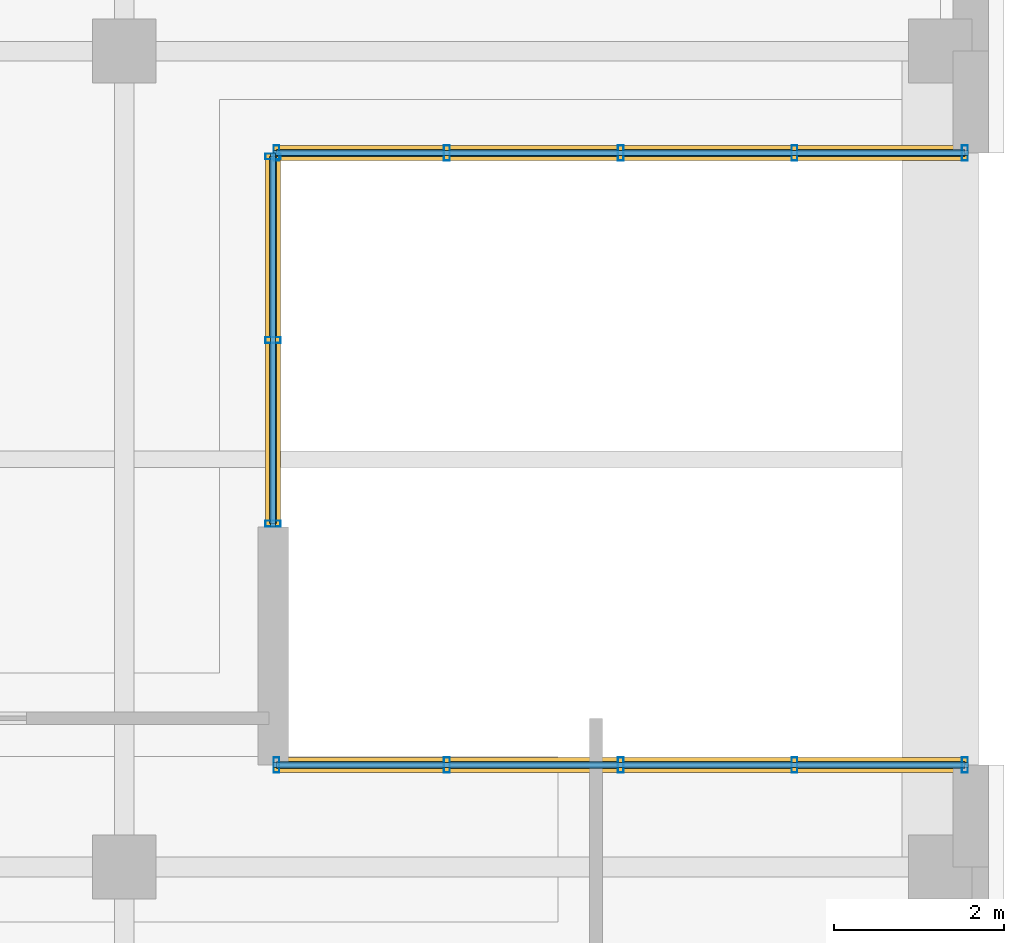
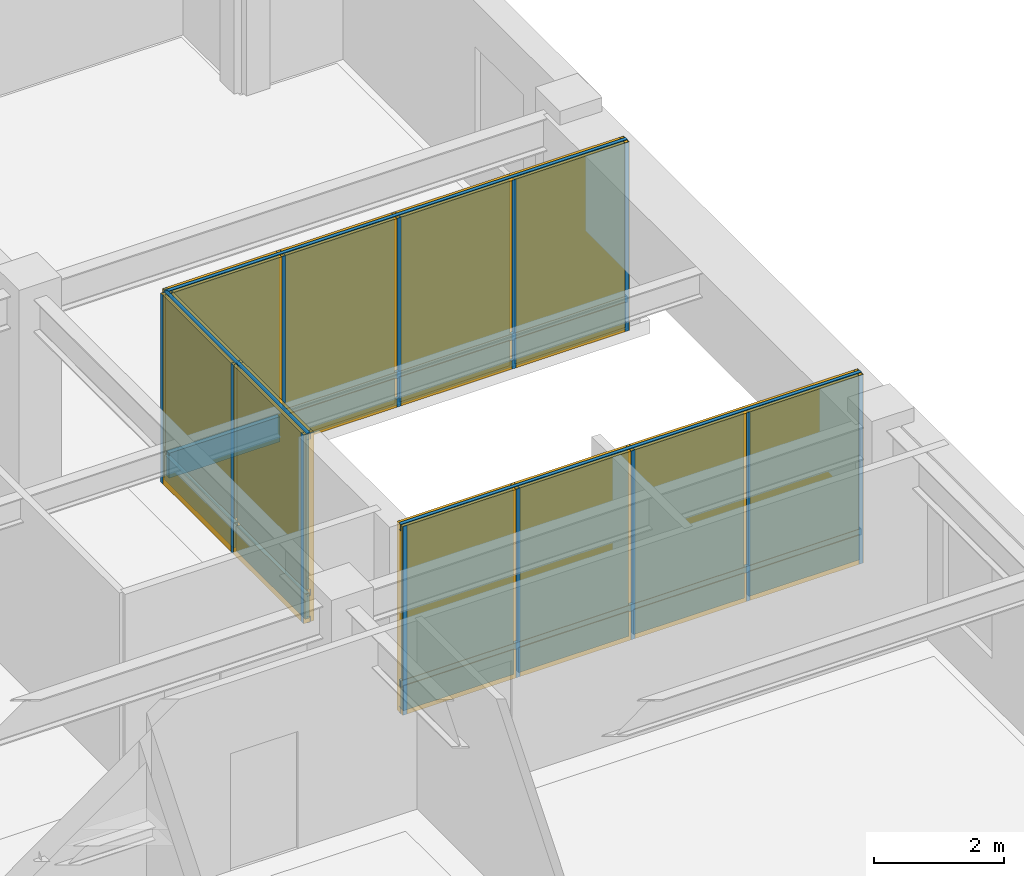
# One storey, part 7 of 11: 22 members, 20 plates, 3 curtain walls.
"""IFC4 building model written with IfcOpenShell, lengths in metres."""

from ifc_helpers import new_model, si_unit, direction, frame, frame_2d, origin, origin_2d, place, context, subcontext, project, spatial, rectangle, hollow_rectangle, extrude, material, layer, layer_set, material_profile, profile_set, type_object, element, aggregate, save


model = new_model("IFC4")

# Units and contexts
model_context = context("Model", 3, precision=1e-05, world=origin(), true_north=direction((0.0, 1.0)))
body_context = subcontext(model_context, "Body", "Model", "MODEL_VIEW")
ifc_project = project(units=[si_unit("LENGTHUNIT", "METRE"), si_unit("AREAUNIT", "SQUARE_METRE"), si_unit("VOLUMEUNIT", "CUBIC_METRE"), si_unit("PLANEANGLEUNIT", "RADIAN"), si_unit("MASSUNIT", "GRAM", prefix="KILO")], contexts=[model_context])

# Member
ifc_material_1 = material(Name="Anodized Aluminium 6063-T6", Category="aluminium")
ifc_material_profile_1 = material_profile(ifc_material_1, hollow_rectangle(XDim=0.070068359375, YDim=0.179931640625, WallThickness=0.00390625, at=origin_2d()), Name="Anodized Aluminium 6063-T6")
ifc_profile_set_1 = profile_set([ifc_material_profile_1], Name="Anodized Aluminium 6063-T6")
member_type_1 = type_object("IfcMemberType", Name="Curtain Wall Mullion 180", PredefinedType="MULLION", material=ifc_profile_set_1)
site_placement = place(None, origin())
building_placement = place(site_placement, origin())
storey_placement = place(building_placement, frame((0.0, 0.0, 281.0)))
member_1_placement = place(storey_placement, frame((39.43994140625, 27.60009765625, 0.0), z_axis=(0.0, 0.0, 1.0), x_axis=(1.0, 0.0, 0.0)))
member_1 = element("IfcMember", 1, at=member_1_placement, type_object=member_type_1, Name="Curtain Wall Mullion CW-L71-SGN-M01", PredefinedType="MULLION", context=body_context, shape_type="SweptSolid", body=[
    extrude(hollow_rectangle(XDim=0.070068359375, YDim=0.179931640625, WallThickness=0.00390625, at=origin_2d()), origin(), (0.0, 0.0, 1.0), 3.5400390625),
])

member_2_placement = place(storey_placement, frame((41.445068359375, 27.60009765625, 0.0), z_axis=(0.0, 0.0, 1.0), x_axis=(1.0, 0.0, 0.0)))
member_2 = element("IfcMember", 2, at=member_2_placement, type_object=member_type_1, Name="Curtain Wall Mullion CW-L71-SGN-M02", PredefinedType="MULLION", context=body_context, shape_type="SweptSolid", body=[
    extrude(hollow_rectangle(XDim=0.070068359375, YDim=0.179931640625, WallThickness=0.00390625, at=origin_2d()), origin(), (0.0, 0.0, 1.0), 3.5400390625),
])

member_3_placement = place(storey_placement, frame((43.489990234375, 27.60009765625, 0.0), z_axis=(0.0, 0.0, 1.0), x_axis=(1.0, 0.0, 0.0)))
member_3 = element("IfcMember", 3, at=member_3_placement, type_object=member_type_1, Name="Curtain Wall Mullion CW-L71-SGN-M03", PredefinedType="MULLION", context=body_context, shape_type="SweptSolid", body=[
    extrude(hollow_rectangle(XDim=0.070068359375, YDim=0.179931640625, WallThickness=0.00390625, at=origin_2d()), origin(), (0.0, 0.0, 1.0), 3.5400390625),
])

member_4_placement = place(storey_placement, frame((45.534912109375, 27.60009765625, 0.0), z_axis=(0.0, 0.0, 1.0), x_axis=(1.0, 0.0, 0.0)))
member_4 = element("IfcMember", 4, at=member_4_placement, type_object=member_type_1, Name="Curtain Wall Mullion CW-L71-SGN-M04", PredefinedType="MULLION", context=body_context, shape_type="SweptSolid", body=[
    extrude(hollow_rectangle(XDim=0.070068359375, YDim=0.179931640625, WallThickness=0.00390625, at=origin_2d()), origin(), (0.0, 0.0, 1.0), 3.5400390625),
])

member_5_placement = place(storey_placement, frame((47.5400390625, 27.60009765625, 0.0), z_axis=(0.0, 0.0, 1.0), x_axis=(1.0, 0.0, 0.0)))
member_5 = element("IfcMember", 5, at=member_5_placement, type_object=member_type_1, Name="Curtain Wall Mullion CW-L71-SGN-M05", PredefinedType="MULLION", context=body_context, shape_type="SweptSolid", body=[
    extrude(hollow_rectangle(XDim=0.070068359375, YDim=0.179931640625, WallThickness=0.00390625, at=origin_2d()), origin(), (0.0, 0.0, 1.0), 3.5400390625),
])

member_6_placement = place(storey_placement, frame((39.43994140625, 20.39990234375, 0.0), z_axis=(0.0, 0.0, 1.0), x_axis=(1.0, 0.0, 0.0)))
member_6 = element("IfcMember", 6, at=member_6_placement, type_object=member_type_1, Name="Curtain Wall Mullion CW-L71-SGS-M01", PredefinedType="MULLION", context=body_context, shape_type="SweptSolid", body=[
    extrude(hollow_rectangle(XDim=0.070068359375, YDim=0.179931640625, WallThickness=0.00390625, at=origin_2d()), origin(), (0.0, 0.0, 1.0), 3.5400390625),
])

member_7_placement = place(storey_placement, frame((41.445068359375, 20.39990234375, 0.0), z_axis=(0.0, 0.0, 1.0), x_axis=(1.0, 0.0, 0.0)))
member_7 = element("IfcMember", 7, at=member_7_placement, type_object=member_type_1, Name="Curtain Wall Mullion CW-L71-SGS-M02", PredefinedType="MULLION", context=body_context, shape_type="SweptSolid", body=[
    extrude(hollow_rectangle(XDim=0.070068359375, YDim=0.179931640625, WallThickness=0.00390625, at=origin_2d()), origin(), (0.0, 0.0, 1.0), 3.5400390625),
])

member_8_placement = place(storey_placement, frame((43.489990234375, 20.39990234375, 0.0), z_axis=(0.0, 0.0, 1.0), x_axis=(1.0, 0.0, 0.0)))
member_8 = element("IfcMember", 8, at=member_8_placement, type_object=member_type_1, Name="Curtain Wall Mullion CW-L71-SGS-M03", PredefinedType="MULLION", context=body_context, shape_type="SweptSolid", body=[
    extrude(hollow_rectangle(XDim=0.070068359375, YDim=0.179931640625, WallThickness=0.00390625, at=origin_2d()), origin(), (0.0, 0.0, 1.0), 3.5400390625),
])

member_9_placement = place(storey_placement, frame((45.534912109375, 20.39990234375, 0.0), z_axis=(0.0, 0.0, 1.0), x_axis=(1.0, 0.0, 0.0)))
member_9 = element("IfcMember", 9, at=member_9_placement, type_object=member_type_1, Name="Curtain Wall Mullion CW-L71-SGS-M04", PredefinedType="MULLION", context=body_context, shape_type="SweptSolid", body=[
    extrude(hollow_rectangle(XDim=0.070068359375, YDim=0.179931640625, WallThickness=0.00390625, at=origin_2d()), origin(), (0.0, 0.0, 1.0), 3.5400390625),
])

member_10_placement = place(storey_placement, frame((47.5400390625, 20.39990234375, 0.0), z_axis=(0.0, 0.0, 1.0), x_axis=(1.0, 0.0, 0.0)))
member_10 = element("IfcMember", 10, at=member_10_placement, type_object=member_type_1, Name="Curtain Wall Mullion CW-L71-SGS-M05", PredefinedType="MULLION", context=body_context, shape_type="SweptSolid", body=[
    extrude(hollow_rectangle(XDim=0.070068359375, YDim=0.179931640625, WallThickness=0.00390625, at=origin_2d()), origin(), (0.0, 0.0, 1.0), 3.5400390625),
])

member_11_placement = place(storey_placement, frame((39.39990234375, 23.239990234375, 0.0), z_axis=(0.0, 0.0, 1.0), x_axis=(0.0, 1.0, 0.0)))
member_11 = element("IfcMember", 11, at=member_11_placement, type_object=member_type_1, Name="Curtain Wall Mullion CW-L71-SGW-M01", PredefinedType="MULLION", context=body_context, shape_type="SweptSolid", body=[
    extrude(hollow_rectangle(XDim=0.070068359375, YDim=0.179931640625, WallThickness=0.00390625, at=origin_2d()), origin(), (0.0, 0.0, 1.0), 3.5400390625),
])

member_12_placement = place(storey_placement, frame((39.39990234375, 25.39990234375, 0.0), z_axis=(0.0, 0.0, 1.0), x_axis=(0.0, 1.0, 0.0)))
member_12 = element("IfcMember", 12, at=member_12_placement, type_object=member_type_1, Name="Curtain Wall Mullion CW-L71-SGW-M02", PredefinedType="MULLION", context=body_context, shape_type="SweptSolid", body=[
    extrude(hollow_rectangle(XDim=0.070068359375, YDim=0.179931640625, WallThickness=0.00390625, at=origin_2d()), origin(), (0.0, 0.0, 1.0), 3.5400390625),
])

member_13_placement = place(storey_placement, frame((39.39990234375, 27.56005859375, 0.0), z_axis=(0.0, 0.0, 1.0), x_axis=(0.0, 1.0, 0.0)))
member_13 = element("IfcMember", 13, at=member_13_placement, type_object=member_type_1, Name="Curtain Wall Mullion CW-L71-SGW-M03", PredefinedType="MULLION", context=body_context, shape_type="SweptSolid", body=[
    extrude(hollow_rectangle(XDim=0.070068359375, YDim=0.179931640625, WallThickness=0.00390625, at=origin_2d()), origin(), (0.0, 0.0, 1.0), 3.5400390625),
])

ifc_material_profile_2 = material_profile(ifc_material_1, hollow_rectangle(XDim=0.06005859375, YDim=0.1201171875, WallThickness=0.00341796875, at=origin_2d()), Name="Anodized Aluminium 6063-T6")
ifc_profile_set_2 = profile_set([ifc_material_profile_2], Name="Anodized Aluminium 6063-T6")
member_type_2 = type_object("IfcMemberType", Name="Curtain Wall Transom 120", PredefinedType="USERDEFINED", material=ifc_profile_set_2)
member_14_placement = place(storey_placement, frame((39.39990234375, 27.60009765625, 0.050048828125), z_axis=(1.0, 0.0, 0.0), x_axis=(0.0, 1.0, 0.0)))
member_14 = element("IfcMember", 14, at=member_14_placement, type_object=member_type_2, Name="Curtain Wall Transom CW-L71-SGN-T01", ObjectType="TRANSOM", PredefinedType="USERDEFINED", context=body_context, shape_type="SweptSolid", body=[
    extrude(hollow_rectangle(XDim=0.06005859375, YDim=0.1201171875, WallThickness=0.00341796875, at=origin_2d()), origin(), (0.0, 0.0, 1.0), 8.18017578125),
])

member_15_placement = place(storey_placement, frame((39.39990234375, 27.60009765625, 0.550048828125), z_axis=(1.0, 0.0, 0.0), x_axis=(0.0, 1.0, 0.0)))
member_15 = element("IfcMember", 15, at=member_15_placement, type_object=member_type_2, Name="Curtain Wall Transom CW-L71-SGN-T02", ObjectType="TRANSOM", PredefinedType="USERDEFINED", context=body_context, shape_type="SweptSolid", body=[
    extrude(hollow_rectangle(XDim=0.06005859375, YDim=0.1201171875, WallThickness=0.00341796875, at=origin_2d()), origin(), (0.0, 0.0, 1.0), 8.18017578125),
])

member_16_placement = place(storey_placement, frame((39.39990234375, 27.60009765625, 3.489990234375), z_axis=(1.0, 0.0, 0.0), x_axis=(0.0, 1.0, 0.0)))
member_16 = element("IfcMember", 16, at=member_16_placement, type_object=member_type_2, Name="Curtain Wall Transom CW-L71-SGN-T03", ObjectType="TRANSOM", PredefinedType="USERDEFINED", context=body_context, shape_type="SweptSolid", body=[
    extrude(hollow_rectangle(XDim=0.06005859375, YDim=0.1201171875, WallThickness=0.00341796875, at=origin_2d()), origin(), (0.0, 0.0, 1.0), 8.18017578125),
])

member_17_placement = place(storey_placement, frame((39.39990234375, 20.39990234375, 0.050048828125), z_axis=(1.0, 0.0, 0.0), x_axis=(0.0, 1.0, 0.0)))
member_17 = element("IfcMember", 17, at=member_17_placement, type_object=member_type_2, Name="Curtain Wall Transom CW-L71-SGS-T01", ObjectType="TRANSOM", PredefinedType="USERDEFINED", context=body_context, shape_type="SweptSolid", body=[
    extrude(hollow_rectangle(XDim=0.06005859375, YDim=0.1201171875, WallThickness=0.00341796875, at=origin_2d()), origin(), (0.0, 0.0, 1.0), 8.18017578125),
])

member_18_placement = place(storey_placement, frame((39.39990234375, 20.39990234375, 0.550048828125), z_axis=(1.0, 0.0, 0.0), x_axis=(0.0, 1.0, 0.0)))
member_18 = element("IfcMember", 18, at=member_18_placement, type_object=member_type_2, Name="Curtain Wall Transom CW-L71-SGS-T02", ObjectType="TRANSOM", PredefinedType="USERDEFINED", context=body_context, shape_type="SweptSolid", body=[
    extrude(hollow_rectangle(XDim=0.06005859375, YDim=0.1201171875, WallThickness=0.00341796875, at=origin_2d()), origin(), (0.0, 0.0, 1.0), 8.18017578125),
])

member_19_placement = place(storey_placement, frame((39.39990234375, 20.39990234375, 3.489990234375), z_axis=(1.0, 0.0, 0.0), x_axis=(0.0, 1.0, 0.0)))
member_19 = element("IfcMember", 19, at=member_19_placement, type_object=member_type_2, Name="Curtain Wall Transom CW-L71-SGS-T03", ObjectType="TRANSOM", PredefinedType="USERDEFINED", context=body_context, shape_type="SweptSolid", body=[
    extrude(hollow_rectangle(XDim=0.06005859375, YDim=0.1201171875, WallThickness=0.00341796875, at=origin_2d()), origin(), (0.0, 0.0, 1.0), 8.18017578125),
])

member_20_placement = place(storey_placement, frame((39.39990234375, 23.199951171875, 0.050048828125), z_axis=(0.0, 1.0, 0.0), x_axis=(-1.0, 0.0, 0.0)))
member_20 = element("IfcMember", 20, at=member_20_placement, type_object=member_type_2, Name="Curtain Wall Transom CW-L71-SGW-T01", ObjectType="TRANSOM", PredefinedType="USERDEFINED", context=body_context, shape_type="SweptSolid", body=[
    extrude(hollow_rectangle(XDim=0.06005859375, YDim=0.1201171875, WallThickness=0.00341796875, at=origin_2d()), origin(), (0.0, 0.0, 1.0), 4.400146484375),
])

member_21_placement = place(storey_placement, frame((39.39990234375, 23.199951171875, 0.550048828125), z_axis=(0.0, 1.0, 0.0), x_axis=(-1.0, 0.0, 0.0)))
member_21 = element("IfcMember", 21, at=member_21_placement, type_object=member_type_2, Name="Curtain Wall Transom CW-L71-SGW-T02", ObjectType="TRANSOM", PredefinedType="USERDEFINED", context=body_context, shape_type="SweptSolid", body=[
    extrude(hollow_rectangle(XDim=0.06005859375, YDim=0.1201171875, WallThickness=0.00341796875, at=origin_2d()), origin(), (0.0, 0.0, 1.0), 4.400146484375),
])

member_22_placement = place(storey_placement, frame((39.39990234375, 23.199951171875, 3.489990234375), z_axis=(0.0, 1.0, 0.0), x_axis=(-1.0, 0.0, 0.0)))
member_22 = element("IfcMember", 22, at=member_22_placement, type_object=member_type_2, Name="Curtain Wall Transom CW-L71-SGW-T03", ObjectType="TRANSOM", PredefinedType="USERDEFINED", context=body_context, shape_type="SweptSolid", body=[
    extrude(hollow_rectangle(XDim=0.06005859375, YDim=0.1201171875, WallThickness=0.00341796875, at=origin_2d()), origin(), (0.0, 0.0, 1.0), 4.400146484375),
])

# Plate
ifc_material_2 = material(Name="Bird-Friendly Fritted Triple Glazing", Category="glass")
ifc_layer_1 = layer(ifc_material_2, 0.052001953125, Name="Bird-Friendly Fritted Triple Glazing")
ifc_layer_set_1 = layer_set([ifc_layer_1], Name="Bird-Friendly Fritted Triple Glazing")
plate_type_1 = type_object("IfcPlateType", Name="Plate CWGlazing 52", PredefinedType="CURTAIN_PANEL", material=ifc_layer_set_1)
plate_1_placement = place(storey_placement, frame((40.422607421875, 27.60009765625, 0.58984375), z_axis=(0.0, 0.0, 1.0), x_axis=(1.0, 0.0, 0.0)))
plate_1 = element("IfcPlate", 23, at=plate_1_placement, type_object=plate_type_1, Name="Vision Glazing Panel CW-L71-SGN-GL01", PredefinedType="CURTAIN_PANEL", context=body_context, shape_type="SweptSolid", body=[
    extrude(rectangle(XDim=1.965087890625, YDim=0.052001953125, at=origin_2d()), origin(), (0.0, 0.0, 1.0), 2.909912109375),
])

plate_2_placement = place(storey_placement, frame((42.467529296875, 27.60009765625, 0.58984375), z_axis=(0.0, 0.0, 1.0), x_axis=(1.0, 0.0, 0.0)))
plate_2 = element("IfcPlate", 24, at=plate_2_placement, type_object=plate_type_1, Name="Vision Glazing Panel CW-L71-SGN-GL02", PredefinedType="CURTAIN_PANEL", context=body_context, shape_type="SweptSolid", body=[
    extrude(rectangle(XDim=1.965087890625, YDim=0.052001953125, at=origin_2d()), origin(), (0.0, 0.0, 1.0), 2.909912109375),
])

plate_3_placement = place(storey_placement, frame((44.512451171875, 27.60009765625, 0.58984375), z_axis=(0.0, 0.0, 1.0), x_axis=(1.0, 0.0, 0.0)))
plate_3 = element("IfcPlate", 25, at=plate_3_placement, type_object=plate_type_1, Name="Vision Glazing Panel CW-L71-SGN-GL03", PredefinedType="CURTAIN_PANEL", context=body_context, shape_type="SweptSolid", body=[
    extrude(rectangle(XDim=1.965087890625, YDim=0.052001953125, at=origin_2d()), origin(), (0.0, 0.0, 1.0), 2.909912109375),
])

plate_4_placement = place(storey_placement, frame((46.5576171875, 27.60009765625, 0.58984375), z_axis=(0.0, 0.0, 1.0), x_axis=(1.0, 0.0, 0.0)))
plate_4 = element("IfcPlate", 26, at=plate_4_placement, type_object=plate_type_1, Name="Vision Glazing Panel CW-L71-SGN-GL04", PredefinedType="CURTAIN_PANEL", context=body_context, shape_type="SweptSolid", body=[
    extrude(rectangle(XDim=1.965087890625, YDim=0.052001953125, at=origin_2d()), origin(), (0.0, 0.0, 1.0), 2.909912109375),
])

plate_5_placement = place(storey_placement, frame((40.422607421875, 20.39990234375, 0.58984375), z_axis=(0.0, 0.0, 1.0), x_axis=(1.0, 0.0, 0.0)))
plate_5 = element("IfcPlate", 27, at=plate_5_placement, type_object=plate_type_1, Name="Vision Glazing Panel CW-L71-SGS-GL01", PredefinedType="CURTAIN_PANEL", context=body_context, shape_type="SweptSolid", body=[
    extrude(rectangle(XDim=1.965087890625, YDim=0.052001953125, at=origin_2d()), origin(), (0.0, 0.0, 1.0), 2.909912109375),
])

plate_6_placement = place(storey_placement, frame((42.467529296875, 20.39990234375, 0.58984375), z_axis=(0.0, 0.0, 1.0), x_axis=(1.0, 0.0, 0.0)))
plate_6 = element("IfcPlate", 28, at=plate_6_placement, type_object=plate_type_1, Name="Vision Glazing Panel CW-L71-SGS-GL02", PredefinedType="CURTAIN_PANEL", context=body_context, shape_type="SweptSolid", body=[
    extrude(rectangle(XDim=1.965087890625, YDim=0.052001953125, at=origin_2d()), origin(), (0.0, 0.0, 1.0), 2.909912109375),
])

plate_7_placement = place(storey_placement, frame((44.512451171875, 20.39990234375, 0.58984375), z_axis=(0.0, 0.0, 1.0), x_axis=(1.0, 0.0, 0.0)))
plate_7 = element("IfcPlate", 29, at=plate_7_placement, type_object=plate_type_1, Name="Vision Glazing Panel CW-L71-SGS-GL03", PredefinedType="CURTAIN_PANEL", context=body_context, shape_type="SweptSolid", body=[
    extrude(rectangle(XDim=1.965087890625, YDim=0.052001953125, at=origin_2d()), origin(), (0.0, 0.0, 1.0), 2.909912109375),
])

plate_8_placement = place(storey_placement, frame((46.5576171875, 20.39990234375, 0.58984375), z_axis=(0.0, 0.0, 1.0), x_axis=(1.0, 0.0, 0.0)))
plate_8 = element("IfcPlate", 30, at=plate_8_placement, type_object=plate_type_1, Name="Vision Glazing Panel CW-L71-SGS-GL04", PredefinedType="CURTAIN_PANEL", context=body_context, shape_type="SweptSolid", body=[
    extrude(rectangle(XDim=1.965087890625, YDim=0.052001953125, at=origin_2d()), origin(), (0.0, 0.0, 1.0), 2.909912109375),
])

plate_9_placement = place(storey_placement, frame((39.39990234375, 24.300048828125, 0.58984375), z_axis=(0.0, 0.0, 1.0), x_axis=(0.0, 1.0, 0.0)))
plate_9 = element("IfcPlate", 31, at=plate_9_placement, type_object=plate_type_1, Name="Vision Glazing Panel CW-L71-SGW-GL01", PredefinedType="CURTAIN_PANEL", context=body_context, shape_type="SweptSolid", body=[
    extrude(rectangle(XDim=2.1201171875, YDim=0.052001953125, at=origin_2d()), origin(), (0.0, 0.0, 1.0), 2.909912109375),
])

plate_10_placement = place(storey_placement, frame((39.39990234375, 26.5, 0.58984375), z_axis=(0.0, 0.0, 1.0), x_axis=(0.0, 1.0, 0.0)))
plate_10 = element("IfcPlate", 32, at=plate_10_placement, type_object=plate_type_1, Name="Vision Glazing Panel CW-L71-SGW-GL02", PredefinedType="CURTAIN_PANEL", context=body_context, shape_type="SweptSolid", body=[
    extrude(rectangle(XDim=2.1201171875, YDim=0.052001953125, at=origin_2d()), origin(), (0.0, 0.0, 1.0), 2.909912109375),
])

ifc_material_3 = material(Name="Insulated Aluminium Spandrel Panel", Category="aluminium")
ifc_layer_2 = layer(ifc_material_3, 0.080078125, Name="Insulated Aluminium Spandrel Panel")
ifc_layer_set_2 = layer_set([ifc_layer_2], Name="Insulated Aluminium Spandrel Panel")
plate_type_2 = type_object("IfcPlateType", Name="Plate CWSpandrel 80", PredefinedType="SHEET", material=ifc_layer_set_2)
plate_11_placement = place(storey_placement, frame((40.422607421875, 27.60009765625, 0.0400390625), z_axis=(0.0, 0.0, 1.0), x_axis=(1.0, 0.0, 0.0)))
plate_11 = element("IfcPlate", 33, at=plate_11_placement, type_object=plate_type_2, Name="Spandrel Panel CW-L71-SGN-SP01", PredefinedType="SHEET", context=body_context, shape_type="SweptSolid", body=[
    extrude(rectangle(XDim=1.965087890625, YDim=0.080078125, at=origin_2d()), origin(), (0.0, 0.0, 1.0), 0.469970703125),
])

plate_12_placement = place(storey_placement, frame((42.467529296875, 27.60009765625, 0.0400390625), z_axis=(0.0, 0.0, 1.0), x_axis=(1.0, 0.0, 0.0)))
plate_12 = element("IfcPlate", 34, at=plate_12_placement, type_object=plate_type_2, Name="Spandrel Panel CW-L71-SGN-SP02", PredefinedType="SHEET", context=body_context, shape_type="SweptSolid", body=[
    extrude(rectangle(XDim=1.965087890625, YDim=0.080078125, at=origin_2d()), origin(), (0.0, 0.0, 1.0), 0.469970703125),
])

plate_13_placement = place(storey_placement, frame((44.512451171875, 27.60009765625, 0.0400390625), z_axis=(0.0, 0.0, 1.0), x_axis=(1.0, 0.0, 0.0)))
plate_13 = element("IfcPlate", 35, at=plate_13_placement, type_object=plate_type_2, Name="Spandrel Panel CW-L71-SGN-SP03", PredefinedType="SHEET", context=body_context, shape_type="SweptSolid", body=[
    extrude(rectangle(XDim=1.965087890625, YDim=0.080078125, at=origin_2d()), origin(), (0.0, 0.0, 1.0), 0.469970703125),
])

plate_14_placement = place(storey_placement, frame((46.5576171875, 27.60009765625, 0.0400390625), z_axis=(0.0, 0.0, 1.0), x_axis=(1.0, 0.0, 0.0)))
plate_14 = element("IfcPlate", 36, at=plate_14_placement, type_object=plate_type_2, Name="Spandrel Panel CW-L71-SGN-SP04", PredefinedType="SHEET", context=body_context, shape_type="SweptSolid", body=[
    extrude(rectangle(XDim=1.965087890625, YDim=0.080078125, at=origin_2d()), origin(), (0.0, 0.0, 1.0), 0.469970703125),
])

plate_15_placement = place(storey_placement, frame((40.422607421875, 20.39990234375, 0.0400390625), z_axis=(0.0, 0.0, 1.0), x_axis=(1.0, 0.0, 0.0)))
plate_15 = element("IfcPlate", 37, at=plate_15_placement, type_object=plate_type_2, Name="Spandrel Panel CW-L71-SGS-SP01", PredefinedType="SHEET", context=body_context, shape_type="SweptSolid", body=[
    extrude(rectangle(XDim=1.965087890625, YDim=0.080078125, at=origin_2d()), origin(), (0.0, 0.0, 1.0), 0.469970703125),
])

plate_16_placement = place(storey_placement, frame((42.467529296875, 20.39990234375, 0.0400390625), z_axis=(0.0, 0.0, 1.0), x_axis=(1.0, 0.0, 0.0)))
plate_16 = element("IfcPlate", 38, at=plate_16_placement, type_object=plate_type_2, Name="Spandrel Panel CW-L71-SGS-SP02", PredefinedType="SHEET", context=body_context, shape_type="SweptSolid", body=[
    extrude(rectangle(XDim=1.965087890625, YDim=0.080078125, at=origin_2d()), origin(), (0.0, 0.0, 1.0), 0.469970703125),
])

plate_17_placement = place(storey_placement, frame((44.512451171875, 20.39990234375, 0.0400390625), z_axis=(0.0, 0.0, 1.0), x_axis=(1.0, 0.0, 0.0)))
plate_17 = element("IfcPlate", 39, at=plate_17_placement, type_object=plate_type_2, Name="Spandrel Panel CW-L71-SGS-SP03", PredefinedType="SHEET", context=body_context, shape_type="SweptSolid", body=[
    extrude(rectangle(XDim=1.965087890625, YDim=0.080078125, at=origin_2d()), origin(), (0.0, 0.0, 1.0), 0.469970703125),
])

plate_18_placement = place(storey_placement, frame((46.5576171875, 20.39990234375, 0.0400390625), z_axis=(0.0, 0.0, 1.0), x_axis=(1.0, 0.0, 0.0)))
plate_18 = element("IfcPlate", 40, at=plate_18_placement, type_object=plate_type_2, Name="Spandrel Panel CW-L71-SGS-SP04", PredefinedType="SHEET", context=body_context, shape_type="SweptSolid", body=[
    extrude(rectangle(XDim=1.965087890625, YDim=0.080078125, at=origin_2d()), origin(), (0.0, 0.0, 1.0), 0.469970703125),
])

plate_19_placement = place(storey_placement, frame((39.39990234375, 24.300048828125, 0.0400390625), z_axis=(0.0, 0.0, 1.0), x_axis=(0.0, 1.0, 0.0)))
plate_19 = element("IfcPlate", 41, at=plate_19_placement, type_object=plate_type_2, Name="Spandrel Panel CW-L71-SGW-SP01", PredefinedType="SHEET", context=body_context, shape_type="SweptSolid", body=[
    extrude(rectangle(XDim=2.1201171875, YDim=0.080078125, at=origin_2d()), origin(), (0.0, 0.0, 1.0), 0.469970703125),
])

plate_20_placement = place(storey_placement, frame((39.39990234375, 26.5, 0.0400390625), z_axis=(0.0, 0.0, 1.0), x_axis=(0.0, 1.0, 0.0)))
plate_20 = element("IfcPlate", 42, at=plate_20_placement, type_object=plate_type_2, Name="Spandrel Panel CW-L71-SGW-SP02", PredefinedType="SHEET", context=body_context, shape_type="SweptSolid", body=[
    extrude(rectangle(XDim=2.1201171875, YDim=0.080078125, at=origin_2d()), origin(), (0.0, 0.0, 1.0), 0.469970703125),
])

# Site, building, storey
site = spatial("IfcSite", under=ifc_project, at=site_placement, CompositionType="ELEMENT")
building = spatial("IfcBuilding", under=site, at=building_placement, Name="Norrvale University Quadrangle", CompositionType="ELEMENT")
storey = spatial("IfcBuildingStorey", under=building, at=storey_placement, Name="L71", CompositionType="ELEMENT", Elevation=281.0)

# Curtain wall
ifc_material_4 = material(Name="Anodized Aluminium and Triple Glazing", Category="glass")
curtain_wall_type = type_object("IfcCurtainWallType", Name="Curtain Wall System 2 Sky Garden", PredefinedType="NOTDEFINED", material=ifc_material_4)
curtain_wall_1_placement = place(storey_placement, frame((39.39990234375, 27.60009765625, 0.0), z_axis=(0.0, 0.0, 1.0), x_axis=(1.0, 0.0, 0.0)))
curtain_wall_1 = element("IfcCurtainWall", 43, at=curtain_wall_1_placement, inside=storey, type_object=curtain_wall_type, Name="Curtain Wall CW System 2 Sky Garden CW-L71-SGN", PredefinedType="NOTDEFINED", context=body_context, shape_type="SweptSolid", body=[
    extrude(rectangle(XDim=8.18017578125, YDim=0.179931640625, at=frame_2d((4.090087890625, 0.0))), origin(), (0.0, 0.0, 1.0), 3.5400390625),
])

aggregate(curtain_wall_1, [member_1, member_2, member_3, member_4, member_5, member_14, member_15, member_16, plate_11, plate_1, plate_12, plate_2, plate_13, plate_3, plate_14, plate_4])

curtain_wall_2_placement = place(storey_placement, frame((39.39990234375, 20.39990234375, 0.0), z_axis=(0.0, 0.0, 1.0), x_axis=(1.0, 0.0, 0.0)))
curtain_wall_2 = element("IfcCurtainWall", 44, at=curtain_wall_2_placement, inside=storey, type_object=curtain_wall_type, Name="Curtain Wall CW System 2 Sky Garden CW-L71-SGS", PredefinedType="NOTDEFINED", context=body_context, shape_type="SweptSolid", body=[
    extrude(rectangle(XDim=8.18017578125, YDim=0.179931640625, at=frame_2d((4.090087890625, 0.0))), origin(), (0.0, 0.0, 1.0), 3.5400390625),
])

aggregate(curtain_wall_2, [member_6, member_7, member_8, member_9, member_10, member_17, member_18, member_19, plate_15, plate_5, plate_16, plate_6, plate_17, plate_7, plate_18, plate_8])

curtain_wall_3_placement = place(storey_placement, frame((39.39990234375, 23.199951171875, 0.0), z_axis=(0.0, 0.0, 1.0), x_axis=(0.0, 1.0, 0.0)))
curtain_wall_3 = element("IfcCurtainWall", 45, at=curtain_wall_3_placement, inside=storey, type_object=curtain_wall_type, Name="Curtain Wall CW System 2 Sky Garden CW-L71-SGW", PredefinedType="NOTDEFINED", context=body_context, shape_type="SweptSolid", body=[
    extrude(rectangle(XDim=4.400146484375, YDim=0.179931640625, at=frame_2d((2.2001953125, 0.0))), origin(), (0.0, 0.0, 1.0), 3.5400390625),
])

aggregate(curtain_wall_3, [member_11, member_12, member_13, member_20, member_21, member_22, plate_19, plate_9, plate_20, plate_10])

save(model, "model.ifc")
